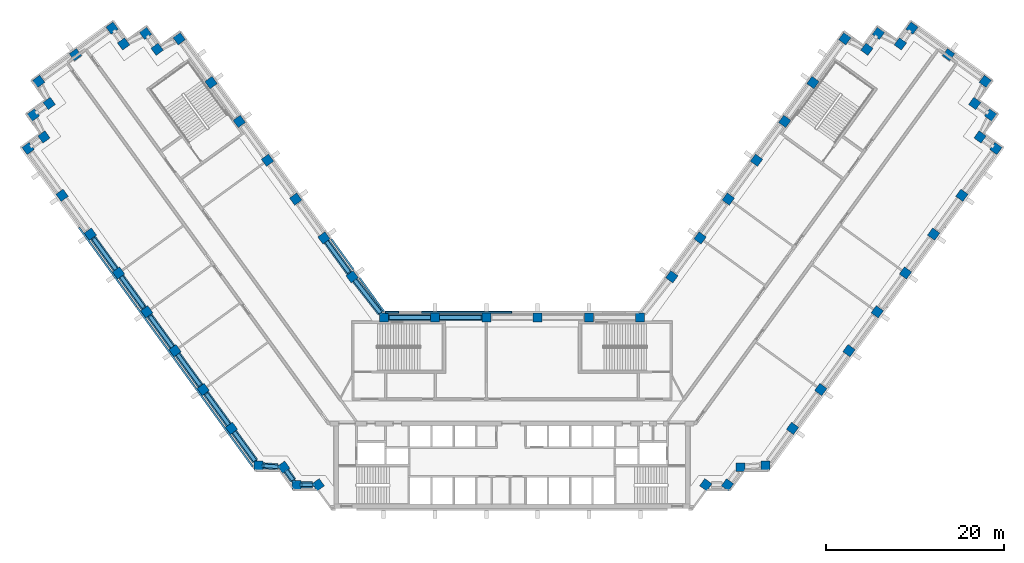
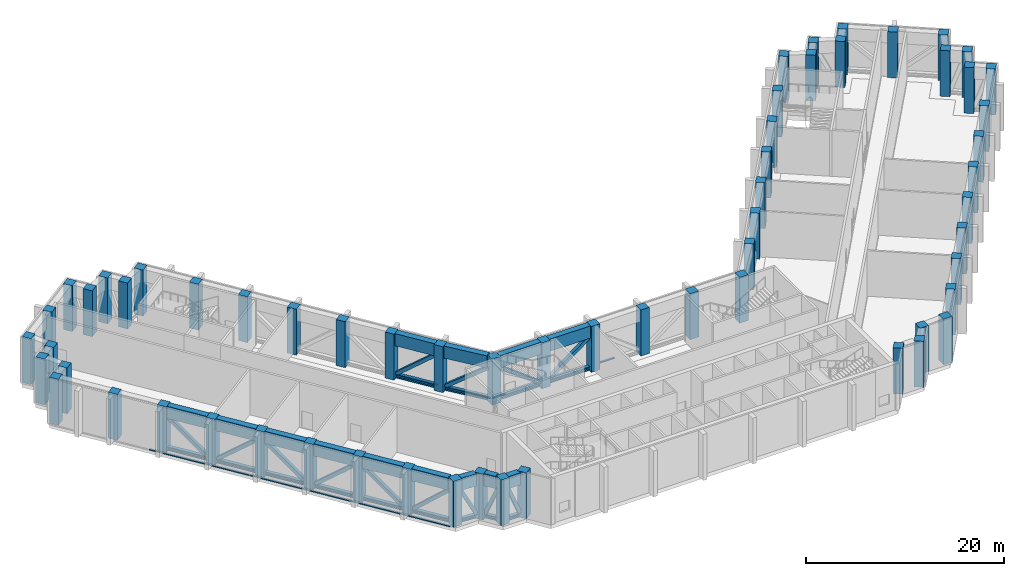
"""IFC4 building model written with IfcOpenShell, lengths in metres."""

from ifc_helpers import new_model, si_unit, direction, frame, origin, origin_2d, place, context, subcontext, project, spatial, rectangle, hollow_rectangle, i_section, extrude, material, material_profile, profile_set, type_object, element, aggregate, save


model = new_model("IFC4")

# Units and contexts
model_context = context("Model", 3, precision=1e-05, world=origin(), true_north=direction((0.0, 1.0)))
body_context = subcontext(model_context, "Body", "Model", "MODEL_VIEW")
ifc_project = project(units=[si_unit("LENGTHUNIT", "METRE"), si_unit("AREAUNIT", "SQUARE_METRE"), si_unit("VOLUMEUNIT", "CUBIC_METRE"), si_unit("PLANEANGLEUNIT", "RADIAN"), si_unit("MASSUNIT", "GRAM", prefix="KILO")], contexts=[model_context])

# Site, building, storey
site_placement = place(None, origin())
site = spatial("IfcSite", under=ifc_project, at=site_placement, CompositionType="ELEMENT")
building_placement = place(site_placement, origin())
building = spatial("IfcBuilding", under=site, at=building_placement, Name="Quipu Civic Tower", CompositionType="ELEMENT")
storey_1_placement = place(building_placement, frame((0.0, 0.0, 25.0)))
storey_1 = spatial("IfcBuildingStorey", under=building, at=storey_1_placement, Name="L05", CompositionType="ELEMENT", Elevation=25.0)

# Columns
ifc_material_1 = material(Name="Concrete C70/85", Category="concrete")
ifc_material_profile_1 = material_profile(ifc_material_1, rectangle(XDim=1.0, YDim=1.0, at=origin_2d()), Name="RC1000x1000")
ifc_profile_set_1 = profile_set([ifc_material_profile_1], Name="Concrete C70/85")
column_type = type_object("IfcColumnType", Name="Perimeter column RC 1000x1000 C70/85", PredefinedType="COLUMN", material=ifc_profile_set_1)
for number, where, z_axis, x_axis, name in (
    (1, (-17.9736328125, 15.074951171875, 0.0), (0.0, 0.0, 1.0), (-0.587785252292, 0.809016994375, 0.0), "Column L05 W-IN-01"),
    (2, (-21.1474609375, 19.44384765625, 0.0), (0.0, 0.0, 1.0), (-0.587785252292, 0.809016994375, 0.0), "Column L05 W-IN-02"),
    (3, (-24.3212890625, 23.8125, 0.0), (0.0, 0.0, 1.0), (-0.587785252292, 0.809016994375, 0.0), "Column L05 W-IN-03"),
    (4, (-27.4951171875, 28.181396484375, 0.0), (0.0, 0.0, 1.0), (-0.587785252292, 0.809016994375, 0.0), "Column L05 W-IN-04"),
    (5, (-30.6689453125, 32.55029296875, 0.0), (0.0, 0.0, 1.0), (-0.587785252292, 0.809016994375, 0.0), "Column L05 W-IN-05"),
    (6, (-33.843017578125, 36.919189453125, 0.0), (0.0, 0.0, 1.0), (-0.587785252292, 0.809016994375, 0.0), "Column L05 W-IN-06"),
    (7, (-37.425048828125, 41.85009765625, 0.0), (0.0, 0.0, 1.0), (-0.587785252292, 0.809016994375, 0.0), "Column L05 T-Wi.0-W50"),
    (8, (-39.905517578125, 40.666015625, 0.0), (0.0, 0.0, 1.0), (-0.587785252292, 0.809016994375, 0.0), "Column L05 T-Wi.1-W50"),
    (9, (-41.199951171875, 42.445068359375, 0.0), (0.0, 0.0, 1.0), (-0.587785252292, 0.809016994375, 0.0), "Column L05 T-Wi.2-W50"),
    (10, (-43.674560546875, 41.264892578125, 0.0), (0.0, 0.0, 1.0), (-0.809016994375, -0.587785252292, 0.0), "Column L05 T-Wi.3-W50"),
    (11, (-44.969970703125, 43.044921875, 0.0), (0.0, 0.0, 1.0), (-0.809016994375, -0.587785252292, 0.0), "Column L05 T-Wi.4-W50"),
    (12, (-49.095703125, 40.046875, 0.0), (0.0, 0.0, 1.0), (-0.809016994375, -0.587785252292, 0.0), "Column L05 TIP-W-01-W50"),
    (13, (-53.219970703125, 37.050048828125, 0.0), (0.0, 0.0, 1.0), (0.587785252292, -0.809016994375, 0.0), "Column L05 T-Wo.0-W50"),
    (14, (-52.038818359375, 34.571044921875, 0.0), (0.0, 0.0, 1.0), (-0.809016994375, -0.587785252292, 0.0), "Column L05 T-Wo.1-W50"),
    (15, (-53.820068359375, 33.27490234375, 0.0), (0.0, 0.0, 1.0), (0.587785252292, -0.809016994375, 0.0), "Column L05 T-Wo.2-W50"),
    (16, (-52.635986328125, 30.799560546875, 0.0), (0.0, 0.0, 1.0), (-0.809016994375, -0.587785252292, 0.0), "Column L05 T-Wo.3-W50"),
    (17, (-54.4150390625, 29.5048828125, 0.0), (0.0, 0.0, 1.0), (0.587785252292, -0.809016994375, 0.0), "Column L05 T-Wo.4-W50"),
    (18, (-50.59228515625, 24.243408203125, 0.0), (0.0, 0.0, 1.0), (0.587785252292, -0.809016994375, 0.0), "Column L05 W-OUT-07"),
    (19, (-47.41845703125, 19.874755859375, 0.0), (0.0, 0.0, 1.0), (0.587785252292, -0.809016994375, 0.0), "Column L05 W-OUT-06"),
    (20, (-44.244384765625, 15.506103515625, 0.0), (0.0, 0.0, 1.0), (0.587785252292, -0.809016994375, 0.0), "Column L05 W-OUT-05"),
    (21, (-41.0703125, 11.137451171875, 0.0), (0.0, 0.0, 1.0), (0.587785252292, -0.809016994375, 0.0), "Column L05 W-OUT-04"),
    (22, (-37.896240234375, 6.768798828125, 0.0), (0.0, 0.0, 1.0), (0.587785252292, -0.809016994375, 0.0), "Column L05 W-OUT-03"),
    (23, (-34.722412109375, 2.39990234375, 0.0), (0.0, 0.0, 1.0), (0.587785252292, -0.809016994375, 0.0), "Column L05 W-OUT-02"),
    (24, (-31.54833984375, -1.96875, 0.0), (0.0, 0.0, 1.0), (0.587785252292, -0.809016994375, 0.0), "Column L05 W-OUT-01"),
    (25, (-28.52490234375, -6.1298828125, 0.0), (0.0, 0.0, 1.0), (1.0, 0.0, 0.0), "Column L05 J-Wo.0"),
    (26, (-25.67431640625, -6.3369140625, 0.0), (0.0, 0.0, 1.0), (0.587785252292, -0.809016994375, 0.0), "Column L05 J-Wo.1"),
    (27, (-24.235107421875, -8.31494140625, 0.0), (0.0, 0.0, 1.0), (1.0, 0.0, 0.0), "Column L05 J-Wo.2"),
    (28, (-21.791748046875, -8.31494140625, 0.0), (0.0, 0.0, 1.0), (0.587785252292, -0.809016994375, 0.0), "Column L05 J-Wo.3"),
    (29, (21.791748046875, -8.31494140625, 0.0), (0.0, 0.0, 1.0), (0.587785252292, 0.809016994375, 0.0), "Column L05 J-Eo.1"),
    (30, (24.235107421875, -8.31494140625, 0.0), (0.0, 0.0, 1.0), (0.587785252292, 0.809016994375, 0.0), "Column L05 J-Eo.2"),
    (31, (25.67431640625, -6.3369140625, 0.0), (0.0, 0.0, 1.0), (1.0, 0.0, 0.0), "Column L05 J-Eo.3"),
    (32, (28.52490234375, -6.1298828125, 0.0), (0.0, 0.0, 1.0), (1.0, 0.0, 0.0), "Column L05 J-Eo.4"),
    (33, (31.54833984375, -1.96875, 0.0), (0.0, 0.0, 1.0), (0.587785252292, 0.809016994375, 0.0), "Column L05 E-OUT-01"),
    (34, (34.722412109375, 2.39990234375, 0.0), (0.0, 0.0, 1.0), (0.587785252292, 0.809016994375, 0.0), "Column L05 E-OUT-02"),
    (35, (37.896240234375, 6.768798828125, 0.0), (0.0, 0.0, 1.0), (0.587785252292, 0.809016994375, 0.0), "Column L05 E-OUT-03"),
    (36, (41.0703125, 11.137451171875, 0.0), (0.0, 0.0, 1.0), (0.587785252292, 0.809016994375, 0.0), "Column L05 E-OUT-04"),
    (37, (44.244384765625, 15.506103515625, 0.0), (0.0, 0.0, 1.0), (0.587785252292, 0.809016994375, 0.0), "Column L05 E-OUT-05"),
    (38, (47.41845703125, 19.874755859375, 0.0), (0.0, 0.0, 1.0), (0.587785252292, 0.809016994375, 0.0), "Column L05 E-OUT-06"),
    (39, (50.59228515625, 24.243408203125, 0.0), (0.0, 0.0, 1.0), (0.587785252292, 0.809016994375, 0.0), "Column L05 E-OUT-07"),
    (40, (54.4150390625, 29.5048828125, 0.0), (0.0, 0.0, 1.0), (0.587785252292, 0.809016994375, 0.0), "Column L05 T-Eo.0-E50"),
    (41, (52.635986328125, 30.799560546875, 0.0), (0.0, 0.0, 1.0), (-0.809016994375, 0.587785252292, 0.0), "Column L05 T-Eo.1-E50"),
    (42, (53.820068359375, 33.27490234375, 0.0), (0.0, 0.0, 1.0), (-0.809016994375, 0.587785252292, 0.0), "Column L05 T-Eo.2-E50"),
    (43, (52.038818359375, 34.571044921875, 0.0), (0.0, 0.0, 1.0), (0.587785252292, 0.809016994375, 0.0), "Column L05 T-Eo.3-E50"),
    (44, (53.219970703125, 37.050048828125, 0.0), (0.0, 0.0, 1.0), (-0.809016994375, 0.587785252292, 0.0), "Column L05 T-Eo.4-E50"),
    (45, (49.095703125, 40.046875, 0.0), (0.0, 0.0, 1.0), (-0.809016994375, 0.587785252292, 0.0), "Column L05 TIP-E-01-E50"),
    (46, (44.969970703125, 43.044921875, 0.0), (0.0, 0.0, 1.0), (-0.809016994375, 0.587785252292, 0.0), "Column L05 T-Ei.0-E50"),
    (47, (43.674560546875, 41.264892578125, 0.0), (0.0, 0.0, 1.0), (-0.809016994375, 0.587785252292, 0.0), "Column L05 T-Ei.1-E50"),
    (48, (41.199951171875, 42.445068359375, 0.0), (0.0, 0.0, 1.0), (-0.587785252292, -0.809016994375, 0.0), "Column L05 T-Ei.2-E50"),
    (49, (39.905517578125, 40.666015625, 0.0), (0.0, 0.0, 1.0), (-0.587785252292, -0.809016994375, 0.0), "Column L05 T-Ei.3-E50"),
    (50, (37.425048828125, 41.85009765625, 0.0), (0.0, 0.0, 1.0), (-0.587785252292, -0.809016994375, 0.0), "Column L05 T-Ei.4-E50"),
    (51, (33.843017578125, 36.919189453125, 0.0), (0.0, 0.0, 1.0), (-0.587785252292, -0.809016994375, 0.0), "Column L05 E-IN-06"),
    (52, (30.6689453125, 32.55029296875, 0.0), (0.0, 0.0, 1.0), (-0.587785252292, -0.809016994375, 0.0), "Column L05 E-IN-05"),
    (53, (27.4951171875, 28.181396484375, 0.0), (0.0, 0.0, 1.0), (-0.587785252292, -0.809016994375, 0.0), "Column L05 E-IN-04"),
    (54, (24.3212890625, 23.8125, 0.0), (0.0, 0.0, 1.0), (-0.587785252292, -0.809016994375, 0.0), "Column L05 E-IN-03"),
    (55, (21.1474609375, 19.44384765625, 0.0), (0.0, 0.0, 1.0), (-0.587785252292, -0.809016994375, 0.0), "Column L05 E-IN-02"),
    (56, (17.9736328125, 15.074951171875, 0.0), (0.0, 0.0, 1.0), (-0.587785252292, -0.809016994375, 0.0), "Column L05 E-IN-01"),
    (57, (14.395263671875, 10.5, 0.0), (0.0, 0.0, 1.0), (-1.0, 0.0, 0.0), "Column L05 J-Ei.0"),
    (58, (8.63720703125, 10.5, 0.0), (0.0, 0.0, 1.0), (-1.0, 0.0, 0.0), "Column L05 FRONT-01"),
    (59, (2.87890625, 10.5, 0.0), (0.0, 0.0, 1.0), (-1.0, 0.0, 0.0), "Column L05 FRONT-02"),
    (60, (-2.87890625, 10.5, 0.0), (0.0, 0.0, 1.0), (-1.0, 0.0, 0.0), "Column L05 FRONT-03"),
    (61, (-8.63720703125, 10.5, 0.0), (0.0, 0.0, 1.0), (-1.0, 0.0, 0.0), "Column L05 FRONT-04"),
    (62, (-14.395263671875, 10.5, 0.0), (0.0, 0.0, 1.0), (-1.0, 0.0, 0.0), "Column L05 J-Wi.0"),
):
    element("IfcColumn", number, at=place(storey_1_placement, frame(where, z_axis=z_axis, x_axis=x_axis)), inside=storey_1, type_object=column_type, Name=name, PredefinedType="COLUMN", context=body_context, shape_type="SweptSolid", body=[
        extrude(rectangle(XDim=1.0, YDim=1.0, at=origin_2d()), origin(), (0.0, 0.0, 1.0), 5.64990234375),
    ])

# Beams
ifc_material_2 = material(Name="Steel ASTM A992 Grade 50 (fy 345 MPa)", Category="steel")
ifc_material_profile_2 = material_profile(ifc_material_2, i_section(OverallWidth=0.41552734375, OverallDepth=0.445556640625, WebThickness=0.0390625, FlangeThickness=0.062744140625, at=origin_2d()), Name="W360x509")
ifc_profile_set_2 = profile_set([ifc_material_profile_2], Name="Steel ASTM A992 Grade 50 (fy 345 MPa)")
beam_type_1 = type_object("IfcBeamType", Name="Belt truss bottom chord W360x509", PredefinedType="BEAM", material=ifc_profile_set_2)
for number, where, z_axis, x_axis, name in (
    (63, (-18.267578125, 15.4794921875, 0.32275390625), (-0.587722908759, 0.809062285934, 0.0), (-0.809062285934, -0.587722908759, 0.0), "Truss bottom chord L05 W-IN-01 to W-IN-02"),
    (64, (-47.12451171875, 19.47021484375, 0.32275390625), (0.587785613349, -0.809016732052, 0.0), (0.809016732052, 0.587785613349, 0.0), "Truss bottom chord L05 W-OUT-06 to W-OUT-05"),
):
    element("IfcBeam", number, at=place(storey_1_placement, frame(where, z_axis=z_axis, x_axis=x_axis)), inside=storey_1, type_object=beam_type_1, Name=name, PredefinedType="BEAM", context=body_context, shape_type="SweptSolid", body=[
        extrude(i_section(OverallWidth=0.41552734375, OverallDepth=0.445556640625, WebThickness=0.0390625, FlangeThickness=0.062744140625, at=origin_2d()), origin(), (0.0, 0.0, 1.0), 4.39990234375),
    ])
for number, where, z_axis, x_axis, name in (
    (65, (-43.950439453125, 15.101806640625, 0.32275390625), (0.587759228046, -0.809035901457, 0.0), (0.809035901457, 0.587759228046, 0.0), "Truss bottom chord L05 W-OUT-05 to W-OUT-04"),
    (66, (-40.776611328125, 10.73291015625, 0.32275390625), (0.58779554378, -0.809009517072, 0.0), (0.809009517072, 0.58779554378, 0.0), "Truss bottom chord L05 W-OUT-04 to W-OUT-03"),
    (67, (-37.602294921875, 6.3642578125, 0.32275390625), (0.587759228046, -0.809035901457, 0.0), (0.809035901457, 0.587759228046, 0.0), "Truss bottom chord L05 W-OUT-03 to W-OUT-02"),
    (68, (-34.428466796875, 1.99560546875, 0.32275390625), (0.587759228046, -0.809035901457, 0.0), (0.809035901457, 0.587759228046, 0.0), "Truss bottom chord L05 W-OUT-02 to W-OUT-01"),
):
    element("IfcBeam", number, at=place(storey_1_placement, frame(where, z_axis=z_axis, x_axis=x_axis)), inside=storey_1, type_object=beam_type_1, Name=name, PredefinedType="BEAM", context=body_context, shape_type="SweptSolid", body=[
        extrude(i_section(OverallWidth=0.41552734375, OverallDepth=0.445556640625, WebThickness=0.0390625, FlangeThickness=0.062744140625, at=origin_2d()), origin(), (0.0, 0.0, 1.0), 4.400146484375),
    ])
beam_1_placement = place(storey_1_placement, frame((-31.25439453125, -2.373291015625, 0.32275390625), z_axis=(0.587811022966, -0.808998270258, 0.0), x_axis=(0.808998270258, 0.587811022966, 0.0)))
element("IfcBeam", 69, at=beam_1_placement, inside=storey_1, type_object=beam_type_1, Name="Truss bottom chord L05 W-OUT-01 to J-Wo.0", PredefinedType="BEAM", context=body_context, shape_type="SweptSolid", body=[
    extrude(i_section(OverallWidth=0.41552734375, OverallDepth=0.445556640625, WebThickness=0.0390625, FlangeThickness=0.062744140625, at=origin_2d()), origin(), (0.0, 0.0, 1.0), 4.025390625),
])
beam_2_placement = place(storey_1_placement, frame((-28.02490234375, -6.166259765625, 0.32275390625), z_axis=(0.99737429836, -0.072418982124, 0.0), x_axis=(0.072418982124, 0.99737429836, 0.0)))
element("IfcBeam", 70, at=beam_2_placement, inside=storey_1, type_object=beam_type_1, Name="Truss bottom chord L05 J-Wo.0 to J-Wo.1", PredefinedType="BEAM", context=body_context, shape_type="SweptSolid", body=[
    extrude(i_section(OverallWidth=0.41552734375, OverallDepth=0.445556640625, WebThickness=0.0390625, FlangeThickness=0.062744140625, at=origin_2d()), origin(), (0.0, 0.0, 1.0), 1.702392578125),
])
beam_3_placement = place(storey_1_placement, frame((-25.380126953125, -6.7412109375, 0.32275390625), z_axis=(0.588346597772, -0.808608855313, 0.0), x_axis=(0.808608855313, 0.588346597772, 0.0)))
element("IfcBeam", 71, at=beam_3_placement, inside=storey_1, type_object=beam_type_1, Name="Truss bottom chord L05 J-Wo.1 to J-Wo.2", PredefinedType="BEAM", context=body_context, shape_type="SweptSolid", body=[
    extrude(i_section(OverallWidth=0.41552734375, OverallDepth=0.445556640625, WebThickness=0.0390625, FlangeThickness=0.062744140625, at=origin_2d()), origin(), (0.0, 0.0, 1.0), 1.327880859375),
])
beam_4_placement = place(storey_1_placement, frame((-23.735107421875, -8.31494140625, 0.32275390625), z_axis=(1.0, 0.0, 0.0), x_axis=(0.0, 1.0, 0.0)))
element("IfcBeam", 72, at=beam_4_placement, inside=storey_1, type_object=beam_type_1, Name="Truss bottom chord L05 J-Wo.2 to J-Wo.3", PredefinedType="BEAM", context=body_context, shape_type="SweptSolid", body=[
    extrude(i_section(OverallWidth=0.41552734375, OverallDepth=0.445556640625, WebThickness=0.0390625, FlangeThickness=0.062744140625, at=origin_2d()), origin(), (0.0, 0.0, 1.0), 1.3251953125),
])
beam_5_placement = place(storey_1_placement, frame((-3.37890625, 10.5, 0.32275390625), z_axis=(-1.0, 0.0, 0.0), x_axis=(0.0, -1.0, 0.0)))
element("IfcBeam", 73, at=beam_5_placement, inside=storey_1, type_object=beam_type_1, Name="Truss bottom chord L05 FRONT-03 to FRONT-04", PredefinedType="BEAM", context=body_context, shape_type="SweptSolid", body=[
    extrude(i_section(OverallWidth=0.41552734375, OverallDepth=0.445556640625, WebThickness=0.0390625, FlangeThickness=0.062744140625, at=origin_2d()), origin(), (0.0, 0.0, 1.0), 4.75830078125),
])
beam_6_placement = place(storey_1_placement, frame((-9.13720703125, 10.5, 0.32275390625), z_axis=(-1.0, 0.0, 0.0), x_axis=(0.0, -1.0, 0.0)))
element("IfcBeam", 74, at=beam_6_placement, inside=storey_1, type_object=beam_type_1, Name="Truss bottom chord L05 FRONT-04 to J-Wi.0", PredefinedType="BEAM", context=body_context, shape_type="SweptSolid", body=[
    extrude(i_section(OverallWidth=0.41552734375, OverallDepth=0.445556640625, WebThickness=0.0390625, FlangeThickness=0.062744140625, at=origin_2d()), origin(), (0.0, 0.0, 1.0), 4.758056640625),
])
beam_7_placement = place(storey_1_placement, frame((-14.786376953125, 11.0, 0.32275390625), z_axis=(-0.616068753057, 0.787692383806, 0.0), x_axis=(-0.787692383806, -0.616068753057, 0.0)))
element("IfcBeam", 75, at=beam_7_placement, inside=storey_1, type_object=beam_type_1, Name="Truss bottom chord L05 J-Wi.0 to W-IN-01", PredefinedType="BEAM", context=body_context, shape_type="SweptSolid", body=[
    extrude(i_section(OverallWidth=0.41552734375, OverallDepth=0.445556640625, WebThickness=0.0390625, FlangeThickness=0.062744140625, at=origin_2d()), origin(), (0.0, 0.0, 1.0), 4.673095703125),
])

# Members
ifc_material_3 = material(Name="Steel ASTM A500 Grade C (fy 345 MPa)", Category="steel")
ifc_material_profile_3 = material_profile(ifc_material_3, hollow_rectangle(XDim=0.406494140625, YDim=0.406494140625, WallThickness=0.015869140625, at=origin_2d()), Name="HSS406x406x16")
ifc_profile_set_3 = profile_set([ifc_material_profile_3], Name="Steel ASTM A500 Grade C (fy 345 MPa)")
member_type_1 = type_object("IfcMemberType", Name="Belt truss diagonal HSS406x406x16", PredefinedType="BRACE", material=ifc_profile_set_3)
for number, where, z_axis, x_axis, name in (
    (76, (-18.267578125, 15.4794921875, 4.14990234375), (-0.454641803595, 0.62586217317, -0.633717106144), (-0.809062285934, -0.587722908759, 0.0), "Truss diagonal L05 W-IN-01 to W-IN-02"),
    (77, (-47.12451171875, 19.47021484375, 4.14990234375), (0.454688067546, -0.625823848279, -0.633721762414), (0.809016732052, 0.587785613349, 0.0), "Truss diagonal L05 W-OUT-06 to W-OUT-05"),
):
    element("IfcMember", number, at=place(storey_1_placement, frame(where, z_axis=z_axis, x_axis=x_axis)), inside=storey_1, type_object=member_type_1, Name=name, PredefinedType="BRACE", context=body_context, shape_type="SweptSolid", body=[
        extrude(hollow_rectangle(XDim=0.406494140625, YDim=0.406494140625, WallThickness=0.015869140625, at=origin_2d()), origin(), (0.0, 0.0, 1.0), 5.687744140625),
    ])
for number, where, z_axis, x_axis, name in (
    (78, (-43.950439453125, 15.101806640625, 0.54541015625), (0.454675853554, -0.62584995947, 0.633704739155), (0.809035901457, 0.587759228046, 0.0), "Truss diagonal L05 W-OUT-05 to W-OUT-04"),
    (79, (-40.776611328125, 10.73291015625, 4.14990234375), (0.454709901519, -0.625837745332, -0.633692371722), (0.809009517072, 0.58779554378, 0.0), "Truss diagonal L05 W-OUT-04 to W-OUT-03"),
    (80, (-37.602294921875, 6.3642578125, 0.54541015625), (0.454675853554, -0.62584995947, 0.633704739155), (0.809035901457, 0.587759228046, 0.0), "Truss diagonal L05 W-OUT-03 to W-OUT-02"),
    (81, (-34.428466796875, 1.99560546875, 4.14990234375), (0.454675853554, -0.62584995947, -0.633704739155), (0.809035901457, 0.587759228046, 0.0), "Truss diagonal L05 W-OUT-02 to W-OUT-01"),
):
    element("IfcMember", number, at=place(storey_1_placement, frame(where, z_axis=z_axis, x_axis=x_axis)), inside=storey_1, type_object=member_type_1, Name=name, PredefinedType="BRACE", context=body_context, shape_type="SweptSolid", body=[
        extrude(hollow_rectangle(XDim=0.406494140625, YDim=0.406494140625, WallThickness=0.015869140625, at=origin_2d()), origin(), (0.0, 0.0, 1.0), 5.68798828125),
    ])
member_1_placement = place(storey_1_placement, frame((-31.25439453125, -2.373291015625, 0.54541015625), z_axis=(0.443471241581, -0.61039531056, 0.656316099709), x_axis=(0.809021349778, 0.587779257548, 0.0)))
element("IfcMember", 82, at=member_1_placement, inside=storey_1, type_object=member_type_1, Name="Truss diagonal L05 W-OUT-01 to J-Wo.0", PredefinedType="BRACE", context=body_context, shape_type="SweptSolid", body=[
    extrude(hollow_rectangle(XDim=0.406494140625, YDim=0.406494140625, WallThickness=0.015869140625, at=origin_2d()), origin(), (0.0, 0.0, 1.0), 5.491943359375),
])
member_2_placement = place(storey_1_placement, frame((-28.0263671875, -6.166259765625, 4.14990234375), z_axis=(0.457005168951, -0.033172157567, -0.88884525285), x_axis=(0.072395491772, 0.997376003707, 0.0)))
element("IfcMember", 83, at=member_2_placement, inside=storey_1, type_object=member_type_1, Name="Truss diagonal L05 J-Wo.0 to J-Wo.1", PredefinedType="BRACE", context=body_context, shape_type="SweptSolid", body=[
    extrude(hollow_rectangle(XDim=0.406494140625, YDim=0.406494140625, WallThickness=0.015869140625, at=origin_2d()), origin(), (0.0, 0.0, 1.0), 4.05517578125),
])
member_3_placement = place(storey_1_placement, frame((-25.380126953125, -6.7412109375, 0.54541015625), z_axis=(0.219071923858, -0.301106030209, 0.928085475993), x_axis=(0.808626568298, 0.588322252718, 0.0)))
element("IfcMember", 84, at=member_3_placement, inside=storey_1, type_object=member_type_1, Name="Truss diagonal L05 J-Wo.1 to J-Wo.2", PredefinedType="BRACE", context=body_context, shape_type="SweptSolid", body=[
    extrude(hollow_rectangle(XDim=0.406494140625, YDim=0.406494140625, WallThickness=0.015869140625, at=origin_2d()), origin(), (0.0, 0.0, 1.0), 3.8837890625),
])
member_4_placement = place(storey_1_placement, frame((-23.735107421875, -8.31494140625, 4.14990234375), z_axis=(0.371737566174, 0.0, -0.928337859777), x_axis=(0.0, 1.0, 0.0)))
element("IfcMember", 85, at=member_4_placement, inside=storey_1, type_object=member_type_1, Name="Truss diagonal L05 J-Wo.2 to J-Wo.3", PredefinedType="BRACE", context=body_context, shape_type="SweptSolid", body=[
    extrude(hollow_rectangle(XDim=0.406494140625, YDim=0.406494140625, WallThickness=0.015869140625, at=origin_2d()), origin(), (0.0, 0.0, 1.0), 3.8828125),
])
member_5_placement = place(storey_1_placement, frame((-3.37890625, 10.5, 4.14990234375), z_axis=(-0.797114816043, 0.0, -0.603827765216), x_axis=(0.0, -1.0, 0.0)))
element("IfcMember", 86, at=member_5_placement, inside=storey_1, type_object=member_type_1, Name="Truss diagonal L05 FRONT-03 to FRONT-04", PredefinedType="BRACE", context=body_context, shape_type="SweptSolid", body=[
    extrude(hollow_rectangle(XDim=0.406494140625, YDim=0.406494140625, WallThickness=0.015869140625, at=origin_2d()), origin(), (0.0, 0.0, 1.0), 5.969482421875),
])
member_6_placement = place(storey_1_placement, frame((-9.13720703125, 10.5, 0.54541015625), z_axis=(-0.797099903337, 0.0, 0.603847451017), x_axis=(0.0, -1.0, 0.0)))
element("IfcMember", 87, at=member_6_placement, inside=storey_1, type_object=member_type_1, Name="Truss diagonal L05 FRONT-04 to J-Wi.0", PredefinedType="BRACE", context=body_context, shape_type="SweptSolid", body=[
    extrude(hollow_rectangle(XDim=0.406494140625, YDim=0.406494140625, WallThickness=0.015869140625, at=origin_2d()), origin(), (0.0, 0.0, 1.0), 5.96923828125),
])
member_7_placement = place(storey_1_placement, frame((-14.703125, 10.893798828125, 4.14990234375), z_axis=(-0.49296585513, 0.630243885828, -0.599814396336), x_axis=(-0.787667833493, -0.616100141276, 0.0)))
element("IfcMember", 88, at=member_7_placement, inside=storey_1, type_object=member_type_1, Name="Truss diagonal L05 J-Wi.0 to W-IN-01", PredefinedType="BRACE", context=body_context, shape_type="SweptSolid", body=[
    extrude(hollow_rectangle(XDim=0.406494140625, YDim=0.406494140625, WallThickness=0.015869140625, at=origin_2d()), origin(), (0.0, 0.0, 1.0), 6.00927734375),
])

# Beams
ifc_material_4 = material(Name="Steel ASTM A572 Grade 50 (fy 345 MPa)", Category="steel")
ifc_material_profile_4 = material_profile(ifc_material_4, hollow_rectangle(XDim=0.699951171875, YDim=1.5, WallThickness=0.050048828125, at=origin_2d()), Name="BX1500x700x50")
ifc_profile_set_4 = profile_set([ifc_material_profile_4], Name="Steel ASTM A572 Grade 50 (fy 345 MPa)")
beam_type_2 = type_object("IfcBeamType", Name="Belt truss top chord BX1500x700x50", PredefinedType="BEAM", material=ifc_profile_set_4)
for number, where, z_axis, x_axis, name in (
    (89, (-18.267578125, 15.4794921875, 4.89990234375), (-0.587722908759, 0.809062285934, 0.0), (-0.809062285934, -0.587722908759, 0.0), "Truss top chord L05 W-IN-01 to W-IN-02"),
    (90, (-47.12451171875, 19.47021484375, 4.89990234375), (0.587785613349, -0.809016732052, 0.0), (0.809016732052, 0.587785613349, 0.0), "Truss top chord L05 W-OUT-06 to W-OUT-05"),
):
    element("IfcBeam", number, at=place(storey_1_placement, frame(where, z_axis=z_axis, x_axis=x_axis)), inside=storey_1, type_object=beam_type_2, Name=name, PredefinedType="BEAM", context=body_context, shape_type="SweptSolid", body=[
        extrude(hollow_rectangle(XDim=0.699951171875, YDim=1.5, WallThickness=0.050048828125, at=origin_2d()), origin(), (0.0, 0.0, 1.0), 4.39990234375),
    ])
for number, where, z_axis, x_axis, name in (
    (91, (-43.950439453125, 15.101806640625, 4.89990234375), (0.587759228046, -0.809035901457, 0.0), (0.809035901457, 0.587759228046, 0.0), "Truss top chord L05 W-OUT-05 to W-OUT-04"),
    (92, (-40.776611328125, 10.73291015625, 4.89990234375), (0.58779554378, -0.809009517072, 0.0), (0.809009517072, 0.58779554378, 0.0), "Truss top chord L05 W-OUT-04 to W-OUT-03"),
    (93, (-37.602294921875, 6.3642578125, 4.89990234375), (0.587759228046, -0.809035901457, 0.0), (0.809035901457, 0.587759228046, 0.0), "Truss top chord L05 W-OUT-03 to W-OUT-02"),
    (94, (-34.428466796875, 1.99560546875, 4.89990234375), (0.587759228046, -0.809035901457, 0.0), (0.809035901457, 0.587759228046, 0.0), "Truss top chord L05 W-OUT-02 to W-OUT-01"),
):
    element("IfcBeam", number, at=place(storey_1_placement, frame(where, z_axis=z_axis, x_axis=x_axis)), inside=storey_1, type_object=beam_type_2, Name=name, PredefinedType="BEAM", context=body_context, shape_type="SweptSolid", body=[
        extrude(hollow_rectangle(XDim=0.699951171875, YDim=1.5, WallThickness=0.050048828125, at=origin_2d()), origin(), (0.0, 0.0, 1.0), 4.400146484375),
    ])
beam_8_placement = place(storey_1_placement, frame((-31.25439453125, -2.373291015625, 4.89990234375), z_axis=(0.587811022966, -0.808998270258, 0.0), x_axis=(0.808998270258, 0.587811022966, 0.0)))
element("IfcBeam", 95, at=beam_8_placement, inside=storey_1, type_object=beam_type_2, Name="Truss top chord L05 W-OUT-01 to J-Wo.0", PredefinedType="BEAM", context=body_context, shape_type="SweptSolid", body=[
    extrude(hollow_rectangle(XDim=0.699951171875, YDim=1.5, WallThickness=0.050048828125, at=origin_2d()), origin(), (0.0, 0.0, 1.0), 4.025390625),
])
beam_9_placement = place(storey_1_placement, frame((-28.02490234375, -6.166259765625, 4.89990234375), z_axis=(0.99737429836, -0.072418982124, 0.0), x_axis=(0.072418982124, 0.99737429836, 0.0)))
element("IfcBeam", 96, at=beam_9_placement, inside=storey_1, type_object=beam_type_2, Name="Truss top chord L05 J-Wo.0 to J-Wo.1", PredefinedType="BEAM", context=body_context, shape_type="SweptSolid", body=[
    extrude(hollow_rectangle(XDim=0.699951171875, YDim=1.5, WallThickness=0.050048828125, at=origin_2d()), origin(), (0.0, 0.0, 1.0), 1.702392578125),
])
beam_10_placement = place(storey_1_placement, frame((-25.380126953125, -6.7412109375, 4.89990234375), z_axis=(0.588346597772, -0.808608855313, 0.0), x_axis=(0.808608855313, 0.588346597772, 0.0)))
element("IfcBeam", 97, at=beam_10_placement, inside=storey_1, type_object=beam_type_2, Name="Truss top chord L05 J-Wo.1 to J-Wo.2", PredefinedType="BEAM", context=body_context, shape_type="SweptSolid", body=[
    extrude(hollow_rectangle(XDim=0.699951171875, YDim=1.5, WallThickness=0.050048828125, at=origin_2d()), origin(), (0.0, 0.0, 1.0), 1.327880859375),
])
beam_11_placement = place(storey_1_placement, frame((-23.735107421875, -8.31494140625, 4.89990234375), z_axis=(1.0, 0.0, 0.0), x_axis=(0.0, 1.0, 0.0)))
element("IfcBeam", 98, at=beam_11_placement, inside=storey_1, type_object=beam_type_2, Name="Truss top chord L05 J-Wo.2 to J-Wo.3", PredefinedType="BEAM", context=body_context, shape_type="SweptSolid", body=[
    extrude(hollow_rectangle(XDim=0.699951171875, YDim=1.5, WallThickness=0.050048828125, at=origin_2d()), origin(), (0.0, 0.0, 1.0), 1.3251953125),
])
beam_12_placement = place(storey_1_placement, frame((-3.37890625, 10.5, 4.89990234375), z_axis=(-1.0, 0.0, 0.0), x_axis=(0.0, -1.0, 0.0)))
element("IfcBeam", 99, at=beam_12_placement, inside=storey_1, type_object=beam_type_2, Name="Truss top chord L05 FRONT-03 to FRONT-04", PredefinedType="BEAM", context=body_context, shape_type="SweptSolid", body=[
    extrude(hollow_rectangle(XDim=0.699951171875, YDim=1.5, WallThickness=0.050048828125, at=origin_2d()), origin(), (0.0, 0.0, 1.0), 4.75830078125),
])
beam_13_placement = place(storey_1_placement, frame((-9.13720703125, 10.5, 4.89990234375), z_axis=(-1.0, 0.0, 0.0), x_axis=(0.0, -1.0, 0.0)))
element("IfcBeam", 100, at=beam_13_placement, inside=storey_1, type_object=beam_type_2, Name="Truss top chord L05 FRONT-04 to J-Wi.0", PredefinedType="BEAM", context=body_context, shape_type="SweptSolid", body=[
    extrude(hollow_rectangle(XDim=0.699951171875, YDim=1.5, WallThickness=0.050048828125, at=origin_2d()), origin(), (0.0, 0.0, 1.0), 4.758056640625),
])
beam_14_placement = place(storey_1_placement, frame((-14.786376953125, 11.0, 4.89990234375), z_axis=(-0.616068753057, 0.787692383806, 0.0), x_axis=(-0.787692383806, -0.616068753057, 0.0)))
element("IfcBeam", 101, at=beam_14_placement, inside=storey_1, type_object=beam_type_2, Name="Truss top chord L05 J-Wi.0 to W-IN-01", PredefinedType="BEAM", context=body_context, shape_type="SweptSolid", body=[
    extrude(hollow_rectangle(XDim=0.699951171875, YDim=1.5, WallThickness=0.050048828125, at=origin_2d()), origin(), (0.0, 0.0, 1.0), 4.673095703125),
])

# Storey
storey_2_placement = place(building_placement, frame((0.0, 0.0, 16.0)))
storey_2 = spatial("IfcBuildingStorey", under=building, at=storey_2_placement, Name="L03", CompositionType="ELEMENT", Elevation=16.0)

# Curtain wall, member
ifc_material_5 = material(Name="Insulated glass unit", Category="glass")
curtain_wall_type = type_object("IfcCurtainWallType", Name="Public services curtain wall CW3", PredefinedType="NOTDEFINED", material=ifc_material_5)
curtain_wall_1_placement = place(storey_2_placement, origin())
curtain_wall_1 = element("IfcCurtainWall", 102, at=curtain_wall_1_placement, inside=storey_2, type_object=curtain_wall_type, Name="Public services curtain wall CW3 L02 run 1", PredefinedType="NOTDEFINED")
ifc_material_6 = material(Name="Anodised aluminium", Category="aluminium")
ifc_material_profile_5 = material_profile(ifc_material_6, rectangle(XDim=0.199951171875, YDim=0.139892578125, at=origin_2d()), Name="RECT 200x140")
ifc_profile_set_5 = profile_set([ifc_material_profile_5], Name="Anodised aluminium")
member_type_2 = type_object("IfcMemberType", Name="Transom CW3", PredefinedType="USERDEFINED", material=ifc_profile_set_5)
member_8_placement = place(storey_1_placement, frame((-14.403076171875, 11.180908203125, 0.0), z_axis=(-0.587781327652, 0.809019845779, 0.0), x_axis=(-0.809019845779, -0.587781327652, 0.0)))
member_8 = element("IfcMember", 103, at=member_8_placement, inside=storey_1, type_object=member_type_2, Name="CW3 transom 1.4", ObjectType="TRANSOM", PredefinedType="USERDEFINED", context=body_context, shape_type="SweptSolid", body=[
    extrude(rectangle(XDim=0.199951171875, YDim=0.139892578125, at=origin_2d()), origin(), (0.0, 0.0, 1.0), 4.649169921875),
])
aggregate(curtain_wall_1, [member_8])

curtain_wall_2_placement = place(storey_2_placement, origin())
curtain_wall_2 = element("IfcCurtainWall", 104, at=curtain_wall_2_placement, inside=storey_2, type_object=curtain_wall_type, Name="Public services curtain wall CW3 L02 run 2", PredefinedType="NOTDEFINED")
member_9_placement = place(storey_1_placement, frame((-17.841064453125, 15.9130859375, 0.0), z_axis=(-0.587812175236, 0.808997433027, 0.0), x_axis=(-0.808997433027, -0.587812175236, 0.0)))
member_9 = element("IfcMember", 105, at=member_9_placement, inside=storey_1, type_object=member_type_2, Name="CW3 transom 1.4", ObjectType="TRANSOM", PredefinedType="USERDEFINED", context=body_context, shape_type="SweptSolid", body=[
    extrude(rectangle(XDim=0.199951171875, YDim=0.139892578125, at=origin_2d()), origin(), (0.0, 0.0, 1.0), 4.199951171875),
])
aggregate(curtain_wall_2, [member_9])

# Curtain wall, members
curtain_wall_3_placement = place(storey_2_placement, origin())
curtain_wall_3 = element("IfcCurtainWall", 106, at=curtain_wall_3_placement, inside=storey_2, type_object=curtain_wall_type, Name="Public services curtain wall CW3 L02 run 18", PredefinedType="NOTDEFINED")
member_10_placement = place(storey_1_placement, frame((-48.687744140625, 20.6005859375, 0.0), z_axis=(0.587788351912, -0.80901474236, 0.0), x_axis=(0.80901474236, 0.587788351912, 0.0)))
member_10 = element("IfcMember", 107, at=member_10_placement, inside=storey_1, type_object=member_type_2, Name="CW3 transom 2.4", ObjectType="TRANSOM", PredefinedType="USERDEFINED", context=body_context, shape_type="SweptSolid", body=[
    extrude(rectangle(XDim=0.199951171875, YDim=0.139892578125, at=origin_2d()), origin(), (0.0, 0.0, 1.0), 11.021484375),
])
member_11_placement = place(storey_1_placement, frame((-42.150634765625, 11.603271484375, 0.0), z_axis=(0.587777818391, -0.809022395368, 0.0), x_axis=(0.809022395368, 0.587777818391, 0.0)))
member_11 = element("IfcMember", 108, at=member_11_placement, inside=storey_1, type_object=member_type_2, Name="CW3 transom 3.4", ObjectType="TRANSOM", PredefinedType="USERDEFINED", context=body_context, shape_type="SweptSolid", body=[
    extrude(rectangle(XDim=0.199951171875, YDim=0.139892578125, at=origin_2d()), origin(), (0.0, 0.0, 1.0), 11.021728515625),
])
member_12_placement = place(storey_1_placement, frame((-35.613525390625, 2.605712890625, 0.0), z_axis=(0.587772046886, -0.8090265885, 0.0), x_axis=(0.8090265885, 0.587772046886, 0.0)))
member_12 = element("IfcMember", 109, at=member_12_placement, inside=storey_1, type_object=member_type_2, Name="CW3 transom 4.4", ObjectType="TRANSOM", PredefinedType="USERDEFINED", context=body_context, shape_type="SweptSolid", body=[
    extrude(rectangle(XDim=0.199951171875, YDim=0.139892578125, at=origin_2d()), origin(), (0.0, 0.0, 1.0), 10.971435546875),
])
aggregate(curtain_wall_3, [member_10, member_11, member_12])

# Curtain wall, member
curtain_wall_4_placement = place(storey_2_placement, origin())
curtain_wall_4 = element("IfcCurtainWall", 110, at=curtain_wall_4_placement, inside=storey_2, type_object=curtain_wall_type, Name="Public services curtain wall CW3 L02 run 52", PredefinedType="NOTDEFINED")
member_13_placement = place(storey_1_placement, frame((-0.050048828125, 11.10009765625, 0.0), z_axis=(-1.0, 0.0, 0.0), x_axis=(0.0, -1.0, 0.0)))
member_13 = element("IfcMember", 111, at=member_13_placement, inside=storey_1, type_object=member_type_2, Name="CW3 transom 2.4", ObjectType="TRANSOM", PredefinedType="USERDEFINED", context=body_context, shape_type="SweptSolid", body=[
    extrude(rectangle(XDim=0.199951171875, YDim=0.139892578125, at=origin_2d()), origin(), (0.0, 0.0, 1.0), 10.113525390625),
])
aggregate(curtain_wall_4, [member_13])

curtain_wall_5_placement = place(storey_2_placement, origin())
curtain_wall_5 = element("IfcCurtainWall", 112, at=curtain_wall_5_placement, inside=storey_2, type_object=curtain_wall_type, Name="Public services curtain wall CW3 L02 run 54", PredefinedType="NOTDEFINED")
member_14_placement = place(storey_1_placement, frame((-12.7548828125, 11.10009765625, 0.0), z_axis=(-1.0, 0.0, 0.0), x_axis=(0.0, -1.0, 0.0)))
member_14 = element("IfcMember", 113, at=member_14_placement, inside=storey_1, type_object=member_type_2, Name="CW3 transom 1.4", ObjectType="TRANSOM", PredefinedType="USERDEFINED", context=body_context, shape_type="SweptSolid", body=[
    extrude(rectangle(XDim=0.199951171875, YDim=0.139892578125, at=origin_2d()), origin(), (0.0, 0.0, 1.0), 1.4892578125),
])
aggregate(curtain_wall_5, [member_14])

save(model, "model.ifc")
